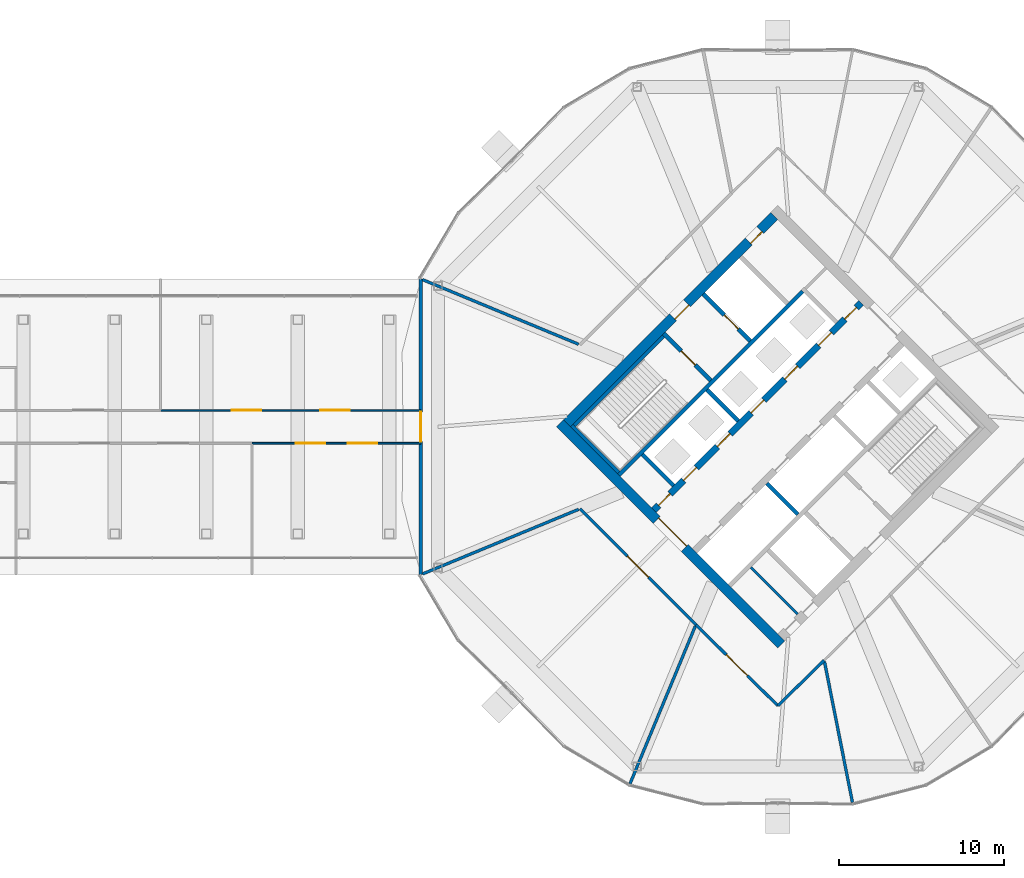
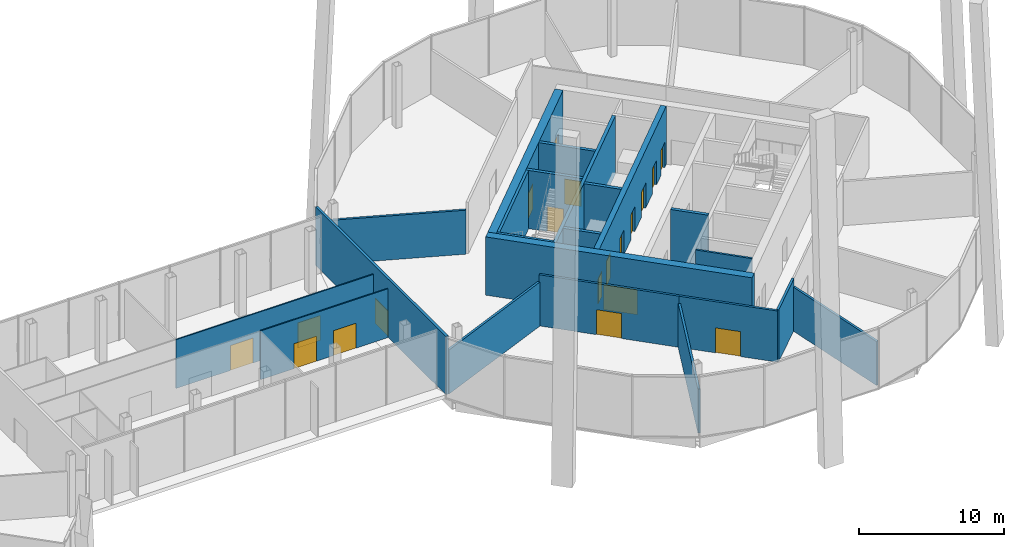
# One storey, part 22 of 28: 22 walls, 19 doors, 19 openings.
"""IFC4 building model written with IfcOpenShell, lengths in metres."""

from ifc_helpers import new_model, si_unit, direction, frame, frame_2d, origin, place, context, subcontext, project, spatial, rectangle, extrude, material, layer, layer_set, type_object, element, fill, save


model = new_model("IFC4")

# Units and contexts
model_context = context("Model", 3, precision=1e-05, world=origin(), true_north=direction((0.0, 1.0)))
body_context = subcontext(model_context, "Body", "Model", "MODEL_VIEW")
ifc_project = project(units=[si_unit("LENGTHUNIT", "METRE"), si_unit("AREAUNIT", "SQUARE_METRE"), si_unit("VOLUMEUNIT", "CUBIC_METRE"), si_unit("PLANEANGLEUNIT", "RADIAN"), si_unit("MASSUNIT", "GRAM", prefix="KILO")], contexts=[model_context])

# Site, building, storey
site_placement = place(None, origin())
site = spatial("IfcSite", under=ifc_project, at=site_placement, CompositionType="ELEMENT")
building_placement = place(site_placement, origin())
building = spatial("IfcBuilding", under=site, at=building_placement, Name="Ogive Gate Towers", CompositionType="ELEMENT")
storey_placement = place(building_placement, frame((0.0, 0.0, 135.60009765625)))
storey = spatial("IfcBuildingStorey", under=building, at=storey_placement, Name="L32", CompositionType="ELEMENT", Elevation=135.60009765625)

# Walls
ifc_material_1 = material(Name="Gypsum board acoustic partition")
ifc_layer_1 = layer(ifc_material_1, 0.175048828125)
ifc_layer_set_1 = layer_set([ifc_layer_1], Name="Acoustic partition 175")
wall_type_1 = type_object("IfcWallType", Name="Acoustic partition 175", PredefinedType="PARTITIONING", material=ifc_layer_set_1)
for number, where, z_axis, x_axis, name in (
    (1, (14.41650390625, 8.940185546875, 0.0), (0.0, 0.0, 1.0), (0.923881436062, -0.382678836756, 0.0), "Partition T2-L32-005"),
    (2, (14.41650390625, -8.940185546875, 0.0), (0.0, 0.0, 1.0), (0.923881436062, 0.382678836756, 0.0), "Partition T2-L32-006"),
):
    element("IfcWall", number, at=place(storey_placement, frame(where, z_axis=z_axis, x_axis=x_axis)), inside=storey, type_object=wall_type_1, Name=name, PredefinedType="PARTITIONING", context=body_context, shape_type="SweptSolid", body=[
        extrude(rectangle(XDim=10.26318359375, YDim=0.175048828125, at=frame_2d((5.131591796875, 0.0))), origin(), (0.0, 0.0, 1.0), 3.699951171875),
    ])
wall_1_placement = place(storey_placement, frame((27.0185546875, -21.68359375, 0.0), z_axis=(0.0, 0.0, 1.0), x_axis=(0.382662256924, 0.923888303382, 0.0)))
element("IfcWall", 3, at=wall_1_placement, inside=storey, type_object=wall_type_1, Name="Partition T2-L32-007", PredefinedType="PARTITIONING", context=body_context, shape_type="SweptSolid", body=[
    extrude(rectangle(XDim=10.371337890625, YDim=0.175048828125, at=frame_2d((5.185546875, 0.0))), origin(), (0.0, 0.0, 1.0), 3.699951171875),
])
wall_2_placement = place(storey_placement, frame((40.531982421875, -22.823974609375, 0.0), z_axis=(0.0, 0.0, 1.0), x_axis=(-0.194748585068, 0.980853194221, 0.0)))
element("IfcWall", 4, at=wall_2_placement, inside=storey, type_object=wall_type_1, Name="Partition T2-L32-008", PredefinedType="PARTITIONING", context=body_context, shape_type="SweptSolid", body=[
    extrude(rectangle(XDim=8.721435546875, YDim=0.175048828125, at=frame_2d((4.36083984375, 0.0))), origin(), (0.0, 0.0, 1.0), 3.699951171875),
])

# Wall, opening, door
wall_3_placement = place(storey_placement, frame((23.9794921875, -4.97900390625, 0.0), z_axis=(0.0, 0.0, 1.0), x_axis=(0.707106781187, -0.707106781187, 0.0)))
wall_3 = element("IfcWall", 5, at=wall_3_placement, inside=storey, type_object=wall_type_1, Name="Partition T2-L32-011", PredefinedType="PARTITIONING", context=body_context, shape_type="SweptSolid", body=[
    extrude(rectangle(XDim=9.958251953125, YDim=0.175048828125, at=frame_2d((4.97900390625, 0.0))), origin(), (0.0, 0.0, 1.0), 4.2998046875),
])
opening_1_placement = place(wall_3_placement, frame((4.0791015625, 0.0, 0.0)))
opening_1 = element("IfcOpeningElement", 6, at=opening_1_placement, cuts=wall_3, Name="Opening T2-L32-D01", PredefinedType="OPENING", context=body_context, shape_type="SweptSolid", body=[
    extrude(rectangle(XDim=1.800048828125, YDim=2.10009765625, at=frame_2d((0.89990234375, 1.050048828125))), frame((0.0, 0.09765625, 0.0), z_axis=(0.0, -1.0, 0.0), x_axis=(1.0, 0.0, 0.0)), (0.0, 0.0, 1.0), 0.195068359375),
])
ifc_material_2 = material(Name="Timber door", Category="wood")
door_type_1 = type_object("IfcDoorType", Name="Door pair 1800", OperationType="NOTDEFINED", PredefinedType="DOOR", material=ifc_material_2)
door_1_placement = place(opening_1_placement, origin())
door_1 = element("IfcDoor", 7, at=door_1_placement, inside=storey, type_object=door_type_1, Name="Door T2-L32-D01", OperationType="DOUBLE_DOOR_DOUBLE_SWING", OverallHeight=2.10009765625, OverallWidth=1.800048828125, PredefinedType="DOOR", context=body_context, shape_type="SweptSolid", body=[
    extrude(rectangle(XDim=1.800048828125, YDim=2.10009765625, at=frame_2d((0.89990234375, 1.050048828125))), frame((0.0, 0.02490234375, 0.0), z_axis=(0.0, -1.0, 0.0), x_axis=(1.0, 0.0, 0.0)), (0.0, 0.0, 1.0), 0.050048828125),
])
fill(opening_1, door_1)

wall_4_placement = place(storey_placement, frame((31.02099609375, -12.0205078125, 0.0), z_axis=(0.0, 0.0, 1.0), x_axis=(0.711175008159, -0.703015012478, 0.0)))
wall_4 = element("IfcWall", 8, at=wall_4_placement, inside=storey, type_object=wall_type_1, Name="Partition T2-L32-012", PredefinedType="PARTITIONING", context=body_context, shape_type="SweptSolid", body=[
    extrude(rectangle(XDim=7.0009765625, YDim=0.175048828125, at=frame_2d((3.50048828125, 0.0))), origin(), (0.0, 0.0, 1.0), 4.2998046875),
])
opening_2_placement = place(wall_4_placement, frame((2.60009765625, 0.0, 0.0)))
opening_2 = element("IfcOpeningElement", 9, at=opening_2_placement, cuts=wall_4, Name="Opening T2-L32-D02", PredefinedType="OPENING", context=body_context, shape_type="SweptSolid", body=[
    extrude(rectangle(XDim=1.800048828125, YDim=2.10009765625, at=frame_2d((0.89990234375, 1.050048828125))), frame((0.0, 0.09765625, 0.0), z_axis=(0.0, -1.0, 0.0), x_axis=(1.0, 0.0, 0.0)), (0.0, 0.0, 1.0), 0.195068359375),
])
door_2_placement = place(opening_2_placement, origin())
door_2 = element("IfcDoor", 10, at=door_2_placement, inside=storey, type_object=door_type_1, Name="Door T2-L32-D02", OperationType="DOUBLE_DOOR_DOUBLE_SWING", OverallHeight=2.10009765625, OverallWidth=1.800048828125, PredefinedType="DOOR", context=body_context, shape_type="SweptSolid", body=[
    extrude(rectangle(XDim=1.800048828125, YDim=2.10009765625, at=frame_2d((0.89990234375, 1.050048828125))), frame((0.0, 0.02490234375, 0.0), z_axis=(0.0, -1.0, 0.0), x_axis=(1.0, 0.0, 0.0)), (0.0, 0.0, 1.0), 0.050048828125),
])
fill(opening_2, door_2)

# Wall
wall_5_placement = place(storey_placement, frame((36.0, -16.9423828125, 0.0), z_axis=(0.0, 0.0, 1.0), x_axis=(0.714376270478, 0.699761776734, 0.0)))
element("IfcWall", 11, at=wall_5_placement, inside=storey, type_object=wall_type_1, Name="Partition T2-L32-013", PredefinedType="PARTITIONING", context=body_context, shape_type="SweptSolid", body=[
    extrude(rectangle(XDim=3.9423828125, YDim=0.175048828125, at=frame_2d((1.97119140625, 0.0))), origin(), (0.0, 0.0, 1.0), 4.349853515625),
])

# Wall, openings, doors
ifc_material_3 = material(Name="Concrete C60/75", Category="concrete")
ifc_layer_2 = layer(ifc_material_3, 0.60009765625)
ifc_layer_set_2 = layer_set([ifc_layer_2], Name="Core wall 600 mm")
wall_type_2 = type_object("IfcWallType", Name="Core wall 600 mm", PredefinedType="SHEAR", material=ifc_layer_set_2)
wall_6_placement = place(storey_placement, frame((23.201416015625, 0.212158203125, 0.0), z_axis=(0.0, 0.0, 1.0), x_axis=(0.707106781187, 0.707106781187, 0.0)))
wall_6 = element("IfcWall", 12, at=wall_6_placement, inside=storey, type_object=wall_type_2, Name="T2 L32 Core wall 600 mm", PredefinedType="SHEAR", context=body_context, shape_type="SweptSolid", body=[
    extrude(rectangle(XDim=17.7998046875, YDim=0.60009765625, at=frame_2d((8.89990234375, 0.0))), origin(), (0.0, 0.0, 1.0), 4.89990234375),
])
opening_3_placement = place(wall_6_placement, frame((9.10009765625, 0.0, 0.0)))
opening_3 = element("IfcOpeningElement", 13, at=opening_3_placement, cuts=wall_6, Name="Opening KD-T2-L32-20", PredefinedType="OPENING", context=body_context, shape_type="SweptSolid", body=[
    extrude(rectangle(XDim=1.199951171875, YDim=2.10009765625, at=frame_2d((0.60009765625, 1.050048828125))), frame((0.0, 0.31005859375, 0.0), z_axis=(0.0, -1.0, 0.0), x_axis=(1.0, 0.0, 0.0)), (0.0, 0.0, 1.0), 0.6201171875),
])
opening_4_placement = place(wall_6_placement, frame((15.60009765625, 0.0, 0.0)))
opening_4 = element("IfcOpeningElement", 14, at=opening_4_placement, cuts=wall_6, Name="Opening KD-T2-L32-22", PredefinedType="OPENING", context=body_context, shape_type="SweptSolid", body=[
    extrude(rectangle(XDim=1.0, YDim=2.10009765625, at=frame_2d((0.5, 1.050048828125))), frame((0.0, 0.31005859375, 0.0), z_axis=(0.0, -1.0, 0.0), x_axis=(1.0, 0.0, 0.0)), (0.0, 0.0, 1.0), 0.6201171875),
])
door_type_2 = type_object("IfcDoorType", Name="Accessible WC door 1000 x 2100", OperationType="NOTDEFINED", PredefinedType="DOOR", material=ifc_material_2)
door_3_placement = place(opening_4_placement, origin())
door_3 = element("IfcDoor", 15, at=door_3_placement, inside=storey, type_object=door_type_2, Name="T2 L32 Core door", OperationType="SINGLE_SWING_LEFT", OverallHeight=2.10009765625, OverallWidth=1.0, PredefinedType="DOOR", context=body_context, shape_type="SweptSolid", body=[
    extrude(rectangle(XDim=1.0, YDim=2.10009765625, at=frame_2d((0.5, 1.050048828125))), frame((0.0, -0.125, 0.0), z_axis=(0.0, -1.0, 0.0), x_axis=(1.0, 0.0, 0.0)), (0.0, 0.0, 1.0), 0.050048828125),
])
fill(opening_4, door_3)
ifc_material_4 = material(Name="Steel fire door", Category="steel")
door_type_3 = type_object("IfcDoorType", Name="Core door FD60S 1200 x 2100", OperationType="NOTDEFINED", PredefinedType="DOOR", material=ifc_material_4)
door_4_placement = place(opening_3_placement, origin())
door_4 = element("IfcDoor", 16, at=door_4_placement, inside=storey, type_object=door_type_3, Name="T2 L32 Fire-fighting lobby door", OperationType="SINGLE_SWING_LEFT", OverallHeight=2.10009765625, OverallWidth=1.199951171875, PredefinedType="DOOR", context=body_context, shape_type="SweptSolid", body=[
    extrude(rectangle(XDim=1.199951171875, YDim=2.10009765625, at=frame_2d((0.60009765625, 1.050048828125))), frame((0.0, -0.125, 0.0), z_axis=(0.0, -1.0, 0.0), x_axis=(1.0, 0.0, 0.0)), (0.0, 0.0, 1.0), 0.050048828125),
])
fill(opening_3, door_4)

# Wall, opening, door
wall_7_placement = place(storey_placement, frame((36.212158203125, -13.222900390625, 0.0), z_axis=(0.0, 0.0, 1.0), x_axis=(-0.707106781187, 0.707106781187, 0.0)))
wall_7 = element("IfcWall", 17, at=wall_7_placement, inside=storey, type_object=wall_type_2, Name="T2 L32 Core wall 600 mm", PredefinedType="SHEAR", context=body_context, shape_type="SweptSolid", body=[
    extrude(rectangle(XDim=19.0, YDim=0.60009765625, at=frame_2d((9.5, 0.0))), origin(), (0.0, 0.0, 1.0), 4.89990234375),
])
opening_5_placement = place(wall_7_placement, frame((8.300048828125, 0.0, 0.0)))
opening_5 = element("IfcOpeningElement", 18, at=opening_5_placement, cuts=wall_7, Name="Opening KD-T2-L32-01", PredefinedType="OPENING", context=body_context, shape_type="SweptSolid", body=[
    extrude(rectangle(XDim=2.39990234375, YDim=2.10009765625, at=frame_2d((1.199951171875, 1.050048828125))), frame((0.0, 0.31005859375, 0.0), z_axis=(0.0, -1.0, 0.0), x_axis=(1.0, 0.0, 0.0)), (0.0, 0.0, 1.0), 0.6201171875),
])
door_type_4 = type_object("IfcDoorType", Name="Core double door FD60S 2400 x 2100", OperationType="DOUBLE_DOOR_SINGLE_SWING", PredefinedType="DOOR", material=ifc_material_4)
door_5_placement = place(opening_5_placement, origin())
door_5 = element("IfcDoor", 19, at=door_5_placement, inside=storey, type_object=door_type_4, Name="T2 L32 Core door double", OperationType="DOUBLE_DOOR_SINGLE_SWING", OverallHeight=2.10009765625, OverallWidth=2.39990234375, PredefinedType="DOOR", context=body_context, shape_type="SweptSolid", body=[
    extrude(rectangle(XDim=2.39990234375, YDim=2.10009765625, at=frame_2d((1.199951171875, 1.050048828125))), frame((0.0, -0.125, 0.0), z_axis=(0.0, -1.0, 0.0), x_axis=(1.0, 0.0, 0.0)), (0.0, 0.0, 1.0), 0.050048828125),
])
fill(opening_5, door_5)

# Wall, openings, doors
ifc_material_5 = material(Name="Gypsum board partition")
ifc_layer_3 = layer(ifc_material_5, 0.10009765625)
ifc_layer_set_3 = layer_set([ifc_layer_3], Name="Partition wall 100")
wall_type_3 = type_object("IfcWallType", Name="Partition wall 100", PredefinedType="PARTITIONING", material=ifc_layer_set_3)
wall_8_placement = place(storey_placement, frame((-1.495849609375, 1.0, 0.0), z_axis=(0.0, 0.0, 1.0), x_axis=(1.0, 0.0, 0.0)))
wall_8 = element("IfcWall", 20, at=wall_8_placement, inside=storey, type_object=wall_type_3, Name="L32 partition 004", PredefinedType="PARTITIONING", context=body_context, shape_type="SweptSolid", body=[
    extrude(rectangle(XDim=15.812255859375, YDim=0.10009765625, at=frame_2d((7.90625, 0.0))), origin(), (0.0, 0.0, 1.0), 4.099853515625),
])
opening_6_placement = place(wall_8_placement, frame((4.32373046875, 0.0, 0.0)))
opening_6 = element("IfcOpeningElement", 21, at=opening_6_placement, cuts=wall_8, Name="Opening PO220", PredefinedType="OPENING", context=body_context, shape_type="SweptSolid", body=[
    extrude(rectangle(XDim=1.800048828125, YDim=2.10009765625, at=frame_2d((0.89990234375, 1.050048828125))), frame((0.0, 0.06005859375, 0.0), z_axis=(0.0, -1.0, 0.0), x_axis=(1.0, 0.0, 0.0)), (0.0, 0.0, 1.0), 0.1201171875),
])
opening_7_placement = place(wall_8_placement, frame((9.688720703125, 0.0, 0.0)))
opening_7 = element("IfcOpeningElement", 22, at=opening_7_placement, cuts=wall_8, Name="Opening PO221", PredefinedType="OPENING", context=body_context, shape_type="SweptSolid", body=[
    extrude(rectangle(XDim=1.800048828125, YDim=2.10009765625, at=frame_2d((0.89990234375, 1.050048828125))), frame((0.0, 0.06005859375, 0.0), z_axis=(0.0, -1.0, 0.0), x_axis=(1.0, 0.0, 0.0)), (0.0, 0.0, 1.0), 0.1201171875),
])
door_type_5 = type_object("IfcDoorType", Name="Double door 1800 x 2100", OperationType="NOTDEFINED", PredefinedType="DOOR", material=ifc_material_2)
door_6_placement = place(opening_6_placement, origin())
door_6 = element("IfcDoor", 23, at=door_6_placement, inside=storey, type_object=door_type_5, Name="Door PO220", OperationType="DOUBLE_DOOR_DOUBLE_SWING", OverallHeight=2.10009765625, OverallWidth=1.800048828125, PredefinedType="DOOR", context=body_context, shape_type="SweptSolid", body=[
    extrude(rectangle(XDim=1.800048828125, YDim=2.10009765625, at=frame_2d((0.89990234375, 1.050048828125))), frame((0.0, 0.02490234375, 0.0), z_axis=(0.0, -1.0, 0.0), x_axis=(1.0, 0.0, 0.0)), (0.0, 0.0, 1.0), 0.050048828125),
])
fill(opening_6, door_6)
door_7_placement = place(opening_7_placement, origin())
door_7 = element("IfcDoor", 24, at=door_7_placement, inside=storey, type_object=door_type_5, Name="Door PO221", OperationType="DOUBLE_DOOR_DOUBLE_SWING", OverallHeight=2.10009765625, OverallWidth=1.800048828125, PredefinedType="DOOR", context=body_context, shape_type="SweptSolid", body=[
    extrude(rectangle(XDim=1.800048828125, YDim=2.10009765625, at=frame_2d((0.89990234375, 1.050048828125))), frame((0.0, 0.02490234375, 0.0), z_axis=(0.0, -1.0, 0.0), x_axis=(1.0, 0.0, 0.0)), (0.0, 0.0, 1.0), 0.050048828125),
])
fill(opening_7, door_7)

wall_9_placement = place(storey_placement, frame((4.060791015625, -1.0, 0.0), z_axis=(0.0, 0.0, 1.0), x_axis=(1.0, 0.0, 0.0)))
wall_9 = element("IfcWall", 25, at=wall_9_placement, inside=storey, type_object=wall_type_3, Name="L32 partition 006", PredefinedType="PARTITIONING", context=body_context, shape_type="SweptSolid", body=[
    extrude(rectangle(XDim=10.255615234375, YDim=0.10009765625, at=frame_2d((5.1279296875, 0.0))), origin(), (0.0, 0.0, 1.0), 4.099853515625),
])
opening_8_placement = place(wall_9_placement, frame((2.65673828125, 0.0, 0.0)))
opening_8 = element("IfcOpeningElement", 26, at=opening_8_placement, cuts=wall_9, Name="Opening PO224", PredefinedType="OPENING", context=body_context, shape_type="SweptSolid", body=[
    extrude(rectangle(XDim=1.800048828125, YDim=2.10009765625, at=frame_2d((0.89990234375, 1.050048828125))), frame((0.0, 0.06005859375, 0.0), z_axis=(0.0, -1.0, 0.0), x_axis=(1.0, 0.0, 0.0)), (0.0, 0.0, 1.0), 0.1201171875),
])
opening_9_placement = place(wall_9_placement, frame((5.799072265625, 0.0, 0.0)))
opening_9 = element("IfcOpeningElement", 27, at=opening_9_placement, cuts=wall_9, Name="Opening PO225", PredefinedType="OPENING", context=body_context, shape_type="SweptSolid", body=[
    extrude(rectangle(XDim=1.800048828125, YDim=2.10009765625, at=frame_2d((0.89990234375, 1.050048828125))), frame((0.0, 0.06005859375, 0.0), z_axis=(0.0, -1.0, 0.0), x_axis=(1.0, 0.0, 0.0)), (0.0, 0.0, 1.0), 0.1201171875),
])
door_8_placement = place(opening_8_placement, origin())
door_8 = element("IfcDoor", 28, at=door_8_placement, inside=storey, type_object=door_type_5, Name="Door PO224", OperationType="DOUBLE_DOOR_DOUBLE_SWING", OverallHeight=2.10009765625, OverallWidth=1.800048828125, PredefinedType="DOOR", context=body_context, shape_type="SweptSolid", body=[
    extrude(rectangle(XDim=1.800048828125, YDim=2.10009765625, at=frame_2d((0.89990234375, 1.050048828125))), frame((0.0, 0.02490234375, 0.0), z_axis=(0.0, -1.0, 0.0), x_axis=(1.0, 0.0, 0.0)), (0.0, 0.0, 1.0), 0.050048828125),
])
fill(opening_8, door_8)
door_9_placement = place(opening_9_placement, origin())
door_9 = element("IfcDoor", 29, at=door_9_placement, inside=storey, type_object=door_type_5, Name="Door PO225", OperationType="DOUBLE_DOOR_DOUBLE_SWING", OverallHeight=2.10009765625, OverallWidth=1.800048828125, PredefinedType="DOOR", context=body_context, shape_type="SweptSolid", body=[
    extrude(rectangle(XDim=1.800048828125, YDim=2.10009765625, at=frame_2d((0.89990234375, 1.050048828125))), frame((0.0, 0.02490234375, 0.0), z_axis=(0.0, -1.0, 0.0), x_axis=(1.0, 0.0, 0.0)), (0.0, 0.0, 1.0), 0.050048828125),
])
fill(opening_9, door_9)

# Wall, opening, door
ifc_material_6 = material(Name="Masonry block wall", Category="masonry")
ifc_layer_4 = layer(ifc_material_6, 0.199951171875)
ifc_layer_set_4 = layer_set([ifc_layer_4], Name="Partition wall 200")
wall_type_4 = type_object("IfcWallType", Name="Partition wall 200", PredefinedType="PARTITIONING", material=ifc_layer_set_4)
wall_10_placement = place(storey_placement, frame((14.31640625, -8.981689453125, 0.0), z_axis=(0.0, 0.0, 1.0), x_axis=(0.0, 1.0, 0.0)))
wall_10 = element("IfcWall", 30, at=wall_10_placement, inside=storey, type_object=wall_type_4, Name="L32 wall 017", PredefinedType="PARTITIONING", context=body_context, shape_type="SweptSolid", body=[
    extrude(rectangle(XDim=17.96337890625, YDim=0.199951171875, at=frame_2d((8.981689453125, 0.0))), origin(), (0.0, 0.0, 1.0), 4.89990234375),
])
opening_10_placement = place(wall_10_placement, frame((8.08154296875, 0.0, 0.0)))
opening_10 = element("IfcOpeningElement", 31, at=opening_10_placement, cuts=wall_10, Name="Opening PO227", PredefinedType="OPENING", context=body_context, shape_type="SweptSolid", body=[
    extrude(rectangle(XDim=1.800048828125, YDim=2.10009765625, at=frame_2d((0.89990234375, 1.050048828125))), frame((0.0, 0.10986328125, 0.0), z_axis=(0.0, -1.0, 0.0), x_axis=(1.0, 0.0, 0.0)), (0.0, 0.0, 1.0), 0.219970703125),
])
door_type_6 = type_object("IfcDoorType", Name="Interior fire double door FD120S 1800 x 2100", OperationType="NOTDEFINED", PredefinedType="DOOR", material=ifc_material_4)
door_10_placement = place(opening_10_placement, origin())
door_10 = element("IfcDoor", 32, at=door_10_placement, inside=storey, type_object=door_type_6, Name="Door PO227", OperationType="DOUBLE_DOOR_DOUBLE_SWING", OverallHeight=2.10009765625, OverallWidth=1.800048828125, PredefinedType="DOOR", context=body_context, shape_type="SweptSolid", body=[
    extrude(rectangle(XDim=1.800048828125, YDim=2.10009765625, at=frame_2d((0.89990234375, 1.050048828125))), frame((0.0, 0.02490234375, 0.0), z_axis=(0.0, -1.0, 0.0), x_axis=(1.0, 0.0, 0.0)), (0.0, 0.0, 1.0), 0.050048828125),
])
fill(opening_10, door_10)

# Walls
ifc_layer_5 = layer(ifc_material_5, 0.14990234375)
ifc_layer_set_5 = layer_set([ifc_layer_5], Name="Room partition 150 mm")
wall_type_5 = type_object("IfcWallType", Name="Room partition 150 mm", PredefinedType="PARTITIONING", material=ifc_layer_set_5)
wall_11_placement = place(storey_placement, frame((37.2021484375, -11.384521484375, 0.0), z_axis=(0.0, 0.0, 1.0), x_axis=(-0.707106781187, 0.707106781187, 0.0)))
element("IfcWall", 33, at=wall_11_placement, inside=storey, type_object=wall_type_5, Name="T2 L32 Room partition 150 mm", PredefinedType="PARTITIONING", context=body_context, shape_type="SweptSolid", body=[
    extrude(rectangle(XDim=4.025146484375, YDim=0.14990234375, at=frame_2d((2.0126953125, 0.0))), origin(), (0.0, 0.0, 1.0), 4.89990234375),
])
ifc_layer_6 = layer(ifc_material_3, 0.25)
ifc_layer_set_6 = layer_set([ifc_layer_6], Name="Shaft wall 250 mm")
wall_type_6 = type_object("IfcWallType", Name="Shaft wall 250 mm", PredefinedType="SHEAR", material=ifc_layer_set_6)
wall_12_placement = place(storey_placement, frame((26.347900390625, -2.9345703125, 0.0), z_axis=(0.0, 0.0, 1.0), x_axis=(0.707106781187, 0.707106781187, 0.0)))
element("IfcWall", 34, at=wall_12_placement, inside=storey, type_object=wall_type_6, Name="T2 L32 Shaft wall 250 mm", PredefinedType="SHEAR", context=body_context, shape_type="SweptSolid", body=[
    extrude(rectangle(XDim=15.775146484375, YDim=0.25, at=frame_2d((7.8876953125, 0.0))), origin(), (0.0, 0.0, 1.0), 4.89990234375),
])
for number, where, z_axis, x_axis, name in (
    (35, (29.67138671875, -3.57080078125, 0.0), (0.0, 0.0, 1.0), (-0.707152414227, 0.707061145201, 0.0), "T2 L32 Shaft wall 250 mm"),
    (36, (37.2197265625, -5.321044921875, 0.0), (0.0, 0.0, 1.0), (-0.707106781187, 0.707106781187, 0.0), "T2 L32 Shaft wall 250 mm"),
    (37, (33.595703125, 0.353515625, 0.0), (0.0, 0.0, 1.0), (-0.707061145201, 0.707152414227, 0.0), "T2 L32 Shaft wall 250 mm"),
):
    element("IfcWall", number, at=place(storey_placement, frame(where, z_axis=z_axis, x_axis=x_axis)), inside=storey, type_object=wall_type_6, Name=name, PredefinedType="SHEAR", context=body_context, shape_type="SweptSolid", body=[
        extrude(rectangle(XDim=2.675048828125, YDim=0.25, at=frame_2d((1.33740234375, 0.0))), origin(), (0.0, 0.0, 1.0), 4.89990234375),
    ])

# Wall, opening, door
wall_13_placement = place(storey_placement, frame((31.91650390625, 2.810791015625, 0.0), z_axis=(0.0, 0.0, 1.0), x_axis=(-0.707106781187, 0.707106781187, 0.0)))
wall_13 = element("IfcWall", 38, at=wall_13_placement, inside=storey, type_object=wall_type_6, Name="T2 L32 Shaft wall 250 mm", PredefinedType="SHEAR", context=body_context, shape_type="SweptSolid", body=[
    extrude(rectangle(XDim=4.025146484375, YDim=0.25, at=frame_2d((2.0126953125, 0.0))), origin(), (0.0, 0.0, 1.0), 4.89990234375),
])
opening_11_placement = place(wall_13_placement, frame((1.324951171875, 0.0, 0.0)))
opening_11 = element("IfcOpeningElement", 39, at=opening_11_placement, cuts=wall_13, Name="Opening KD-T2-L32-18", PredefinedType="OPENING", context=body_context, shape_type="SweptSolid", body=[
    extrude(rectangle(XDim=1.199951171875, YDim=2.10009765625, at=frame_2d((0.60009765625, 1.050048828125))), frame((0.0, 0.135009765625, 0.0), z_axis=(0.0, -1.0, 0.0), x_axis=(1.0, 0.0, 0.0)), (0.0, 0.0, 1.0), 0.27001953125),
])
door_11_placement = place(opening_11_placement, origin())
door_11 = element("IfcDoor", 40, at=door_11_placement, inside=storey, type_object=door_type_3, Name="T2 L32 Stair door", OperationType="SINGLE_SWING_LEFT", OverallHeight=2.10009765625, OverallWidth=1.199951171875, PredefinedType="DOOR", context=body_context, shape_type="SweptSolid", body=[
    extrude(rectangle(XDim=1.199951171875, YDim=2.10009765625, at=frame_2d((0.60009765625, 1.050048828125))), frame((0.0, 0.02490234375, 0.0), z_axis=(0.0, -1.0, 0.0), x_axis=(1.0, 0.0, 0.0)), (0.0, 0.0, 1.0), 0.050048828125),
])
fill(opening_11, door_11)

wall_14_placement = place(storey_placement, frame((34.320556640625, 5.21484375, 0.0), z_axis=(0.0, 0.0, 1.0), x_axis=(-0.70707645213, 0.707137108942, 0.0)))
wall_14 = element("IfcWall", 41, at=wall_14_placement, inside=storey, type_object=wall_type_6, Name="T2 L32 Shaft wall 250 mm", PredefinedType="SHEAR", context=body_context, shape_type="SweptSolid", body=[
    extrude(rectangle(XDim=4.02490234375, YDim=0.25, at=frame_2d((2.012451171875, 0.0))), origin(), (0.0, 0.0, 1.0), 4.89990234375),
])
opening_12_placement = place(wall_14_placement, frame((1.02490234375, 0.0, 0.0)))
opening_12 = element("IfcOpeningElement", 42, at=opening_12_placement, cuts=wall_14, Name="Opening LD-T2-L32-16", PredefinedType="OPENING", context=body_context, shape_type="SweptSolid", body=[
    extrude(rectangle(XDim=1.199951171875, YDim=2.10009765625, at=frame_2d((0.60009765625, 1.050048828125))), frame((0.0, 0.135009765625, 0.0), z_axis=(0.0, -1.0, 0.0), x_axis=(1.0, 0.0, 0.0)), (0.0, 0.0, 1.0), 0.27001953125),
])
ifc_material_7 = material(Name="Stainless steel landing door", Category="steel")
door_type_7 = type_object("IfcDoorType", Name="Landing door 1200 x 2100", OperationType="SLIDING_TO_LEFT", PredefinedType="DOOR", material=ifc_material_7)
door_12_placement = place(opening_12_placement, origin())
door_12 = element("IfcDoor", 43, at=door_12_placement, inside=storey, type_object=door_type_7, Name="T2 L32 Lift landing door FF1", OperationType="SLIDING_TO_LEFT", OverallHeight=2.10009765625, OverallWidth=1.199951171875, PredefinedType="DOOR", context=body_context, shape_type="SweptSolid", body=[
    extrude(rectangle(XDim=1.199951171875, YDim=2.10009765625, at=frame_2d((0.60009765625, 1.050048828125))), frame((0.0, 0.02490234375, 0.0), z_axis=(0.0, -1.0, 0.0), x_axis=(1.0, 0.0, 0.0)), (0.0, 0.0, 1.0), 0.050048828125),
])
fill(opening_12, door_12)

# Wall, openings, doors
ifc_layer_7 = layer(ifc_material_3, 0.39990234375)
ifc_layer_set_7 = layer_set([ifc_layer_7], Name="Spine wall 400 mm")
wall_type_7 = type_object("IfcWallType", Name="Spine wall 400 mm", PredefinedType="SHEAR", material=ifc_layer_set_7)
wall_15_placement = place(storey_placement, frame((28.46923828125, -5.055908203125, 0.0), z_axis=(0.0, 0.0, 1.0), x_axis=(0.707106781187, 0.707106781187, 0.0)))
wall_15 = element("IfcWall", 44, at=wall_15_placement, inside=storey, type_object=wall_type_7, Name="T2 L32 Spine wall 400 mm", PredefinedType="SHEAR", context=body_context, shape_type="SweptSolid", body=[
    extrude(rectangle(XDim=17.80029296875, YDim=0.39990234375, at=frame_2d((8.900146484375, 0.0))), origin(), (0.0, 0.0, 1.0), 4.89990234375),
])
opening_13_placement = place(wall_15_placement, frame((0.39990234375, 0.0, 0.0)))
opening_13 = element("IfcOpeningElement", 45, at=opening_13_placement, cuts=wall_15, Name="Opening KD-T2-L32-03", PredefinedType="OPENING", context=body_context, shape_type="SweptSolid", body=[
    extrude(rectangle(XDim=1.0, YDim=2.10009765625, at=frame_2d((0.5, 1.050048828125))), frame((0.0, 0.2099609375, 0.0), z_axis=(0.0, -1.0, 0.0), x_axis=(1.0, 0.0, 0.0)), (0.0, 0.0, 1.0), 0.419921875),
])
opening_14_placement = place(wall_15_placement, frame((2.550048828125, 0.0, 0.0)))
opening_14 = element("IfcOpeningElement", 46, at=opening_14_placement, cuts=wall_15, Name="Opening LD-T2-L32-04", PredefinedType="OPENING", context=body_context, shape_type="SweptSolid", body=[
    extrude(rectangle(XDim=1.10009765625, YDim=2.10009765625, at=frame_2d((0.550048828125, 1.050048828125))), frame((0.0, 0.2099609375, 0.0), z_axis=(0.0, -1.0, 0.0), x_axis=(1.0, 0.0, 0.0)), (0.0, 0.0, 1.0), 0.419921875),
])
opening_15_placement = place(wall_15_placement, frame((5.449951171875, 0.0, 0.0)))
opening_15 = element("IfcOpeningElement", 47, at=opening_15_placement, cuts=wall_15, Name="Opening LD-T2-L32-05", PredefinedType="OPENING", context=body_context, shape_type="SweptSolid", body=[
    extrude(rectangle(XDim=1.10009765625, YDim=2.10009765625, at=frame_2d((0.550048828125, 1.050048828125))), frame((0.0, 0.2099609375, 0.0), z_axis=(0.0, -1.0, 0.0), x_axis=(1.0, 0.0, 0.0)), (0.0, 0.0, 1.0), 0.419921875),
])
opening_16_placement = place(wall_15_placement, frame((8.35009765625, 0.0, 0.0)))
opening_16 = element("IfcOpeningElement", 48, at=opening_16_placement, cuts=wall_15, Name="Opening LD-T2-L32-06", PredefinedType="OPENING", context=body_context, shape_type="SweptSolid", body=[
    extrude(rectangle(XDim=1.10009765625, YDim=2.10009765625, at=frame_2d((0.550048828125, 1.050048828125))), frame((0.0, 0.2099609375, 0.0), z_axis=(0.0, -1.0, 0.0), x_axis=(1.0, 0.0, 0.0)), (0.0, 0.0, 1.0), 0.419921875),
])
opening_17_placement = place(wall_15_placement, frame((11.25, 0.0, 0.0)))
opening_17 = element("IfcOpeningElement", 49, at=opening_17_placement, cuts=wall_15, Name="Opening LD-T2-L32-07", PredefinedType="OPENING", context=body_context, shape_type="SweptSolid", body=[
    extrude(rectangle(XDim=1.10009765625, YDim=2.10009765625, at=frame_2d((0.550048828125, 1.050048828125))), frame((0.0, 0.2099609375, 0.0), z_axis=(0.0, -1.0, 0.0), x_axis=(1.0, 0.0, 0.0)), (0.0, 0.0, 1.0), 0.419921875),
])
opening_18_placement = place(wall_15_placement, frame((14.14990234375, 0.0, 0.0)))
opening_18 = element("IfcOpeningElement", 50, at=opening_18_placement, cuts=wall_15, Name="Opening LD-T2-L32-08", PredefinedType="OPENING", context=body_context, shape_type="SweptSolid", body=[
    extrude(rectangle(XDim=1.10009765625, YDim=2.10009765625, at=frame_2d((0.550048828125, 1.050048828125))), frame((0.0, 0.2099609375, 0.0), z_axis=(0.0, -1.0, 0.0), x_axis=(1.0, 0.0, 0.0)), (0.0, 0.0, 1.0), 0.419921875),
])
opening_19_placement = place(wall_15_placement, frame((16.39990234375, 0.0, 0.0)))
opening_19 = element("IfcOpeningElement", 51, at=opening_19_placement, cuts=wall_15, Name="Opening KD-T2-L32-09", PredefinedType="OPENING", context=body_context, shape_type="SweptSolid", body=[
    extrude(rectangle(XDim=1.0, YDim=2.10009765625, at=frame_2d((0.5, 1.050048828125))), frame((0.0, 0.2099609375, 0.0), z_axis=(0.0, -1.0, 0.0), x_axis=(1.0, 0.0, 0.0)), (0.0, 0.0, 1.0), 0.419921875),
])
door_type_8 = type_object("IfcDoorType", Name="Core door FD60S 1000 x 2100", OperationType="NOTDEFINED", PredefinedType="DOOR", material=ifc_material_4)
door_13_placement = place(opening_13_placement, origin())
door_13 = element("IfcDoor", 52, at=door_13_placement, inside=storey, type_object=door_type_8, Name="T2 L32 Core door", OperationType="SINGLE_SWING_RIGHT", OverallHeight=2.10009765625, OverallWidth=1.0, PredefinedType="DOOR", context=body_context, shape_type="SweptSolid", body=[
    extrude(rectangle(XDim=1.0, YDim=2.10009765625, at=frame_2d((0.5, 1.050048828125))), frame((0.0, 0.02490234375, 0.0), z_axis=(0.0, -1.0, 0.0), x_axis=(1.0, 0.0, 0.0)), (0.0, 0.0, 1.0), 0.050048828125),
])
fill(opening_13, door_13)
door_14_placement = place(opening_19_placement, origin())
door_14 = element("IfcDoor", 53, at=door_14_placement, inside=storey, type_object=door_type_8, Name="T2 L32 Core door", OperationType="SINGLE_SWING_RIGHT", OverallHeight=2.10009765625, OverallWidth=1.0, PredefinedType="DOOR", context=body_context, shape_type="SweptSolid", body=[
    extrude(rectangle(XDim=1.0, YDim=2.10009765625, at=frame_2d((0.5, 1.050048828125))), frame((0.0, 0.02490234375, 0.0), z_axis=(0.0, -1.0, 0.0), x_axis=(1.0, 0.0, 0.0)), (0.0, 0.0, 1.0), 0.050048828125),
])
fill(opening_19, door_14)
door_type_9 = type_object("IfcDoorType", Name="Landing door 1100 x 2100", OperationType="SLIDING_TO_LEFT", PredefinedType="DOOR", material=ifc_material_7)
door_15_placement = place(opening_14_placement, origin())
door_15 = element("IfcDoor", 54, at=door_15_placement, inside=storey, type_object=door_type_9, Name="T2 L32 Lift landing door B1", OperationType="SLIDING_TO_LEFT", OverallHeight=2.10009765625, OverallWidth=1.10009765625, PredefinedType="DOOR", context=body_context, shape_type="SweptSolid", body=[
    extrude(rectangle(XDim=1.10009765625, YDim=2.10009765625, at=frame_2d((0.550048828125, 1.050048828125))), frame((0.0, 0.02490234375, 0.0), z_axis=(0.0, -1.0, 0.0), x_axis=(1.0, 0.0, 0.0)), (0.0, 0.0, 1.0), 0.050048828125),
])
fill(opening_14, door_15)
door_16_placement = place(opening_15_placement, origin())
door_16 = element("IfcDoor", 55, at=door_16_placement, inside=storey, type_object=door_type_9, Name="T2 L32 Lift landing door B2", OperationType="SLIDING_TO_LEFT", OverallHeight=2.10009765625, OverallWidth=1.10009765625, PredefinedType="DOOR", context=body_context, shape_type="SweptSolid", body=[
    extrude(rectangle(XDim=1.10009765625, YDim=2.10009765625, at=frame_2d((0.550048828125, 1.050048828125))), frame((0.0, 0.02490234375, 0.0), z_axis=(0.0, -1.0, 0.0), x_axis=(1.0, 0.0, 0.0)), (0.0, 0.0, 1.0), 0.050048828125),
])
fill(opening_15, door_16)
door_17_placement = place(opening_16_placement, origin())
door_17 = element("IfcDoor", 56, at=door_17_placement, inside=storey, type_object=door_type_9, Name="T2 L32 Lift landing door B3", OperationType="SLIDING_TO_LEFT", OverallHeight=2.10009765625, OverallWidth=1.10009765625, PredefinedType="DOOR", context=body_context, shape_type="SweptSolid", body=[
    extrude(rectangle(XDim=1.10009765625, YDim=2.10009765625, at=frame_2d((0.550048828125, 1.050048828125))), frame((0.0, 0.02490234375, 0.0), z_axis=(0.0, -1.0, 0.0), x_axis=(1.0, 0.0, 0.0)), (0.0, 0.0, 1.0), 0.050048828125),
])
fill(opening_16, door_17)
door_18_placement = place(opening_17_placement, origin())
door_18 = element("IfcDoor", 57, at=door_18_placement, inside=storey, type_object=door_type_9, Name="T2 L32 Lift landing door B4", OperationType="SLIDING_TO_LEFT", OverallHeight=2.10009765625, OverallWidth=1.10009765625, PredefinedType="DOOR", context=body_context, shape_type="SweptSolid", body=[
    extrude(rectangle(XDim=1.10009765625, YDim=2.10009765625, at=frame_2d((0.550048828125, 1.050048828125))), frame((0.0, 0.02490234375, 0.0), z_axis=(0.0, -1.0, 0.0), x_axis=(1.0, 0.0, 0.0)), (0.0, 0.0, 1.0), 0.050048828125),
])
fill(opening_17, door_18)
door_19_placement = place(opening_18_placement, origin())
door_19 = element("IfcDoor", 58, at=door_19_placement, inside=storey, type_object=door_type_9, Name="T2 L32 Lift landing door B5", OperationType="SLIDING_TO_LEFT", OverallHeight=2.10009765625, OverallWidth=1.10009765625, PredefinedType="DOOR", context=body_context, shape_type="SweptSolid", body=[
    extrude(rectangle(XDim=1.10009765625, YDim=2.10009765625, at=frame_2d((0.550048828125, 1.050048828125))), frame((0.0, 0.02490234375, 0.0), z_axis=(0.0, -1.0, 0.0), x_axis=(1.0, 0.0, 0.0)), (0.0, 0.0, 1.0), 0.050048828125),
])
fill(opening_18, door_19)

# Walls
ifc_layer_8 = layer(ifc_material_3, 0.199951171875)
ifc_layer_set_8 = layer_set([ifc_layer_8], Name="Stair wall 200 mm")
wall_type_8 = type_object("IfcWallType", Name="Stair wall 200 mm", PredefinedType="SHEAR", material=ifc_layer_set_8)
wall_16_placement = place(storey_placement, frame((23.62548828125, 0.07080078125, 0.0), z_axis=(0.0, 0.0, 1.0), x_axis=(0.707122685701, 0.707090876314, 0.0)))
element("IfcWall", 59, at=wall_16_placement, inside=storey, type_object=wall_type_8, Name="T2 L32 Stair wall 200 mm", PredefinedType="SHEAR", context=body_context, shape_type="SweptSolid", body=[
    extrude(rectangle(XDim=7.675048828125, YDim=0.199951171875, at=frame_2d((3.83740234375, 0.0))), origin(), (0.0, 0.0, 1.0), 4.89990234375),
])
wall_17_placement = place(storey_placement, frame((26.330322265625, -2.775390625, 0.0), z_axis=(0.0, 0.0, 1.0), x_axis=(-0.707106781187, 0.707106781187, 0.0)))
element("IfcWall", 60, at=wall_17_placement, inside=storey, type_object=wall_type_8, Name="T2 L32 Stair wall 200 mm", PredefinedType="SHEAR", context=body_context, shape_type="SweptSolid", body=[
    extrude(rectangle(XDim=4.025146484375, YDim=0.199951171875, at=frame_2d((2.0126953125, 0.0))), origin(), (0.0, 0.0, 1.0), 4.89990234375),
])

save(model, "model.ifc")
